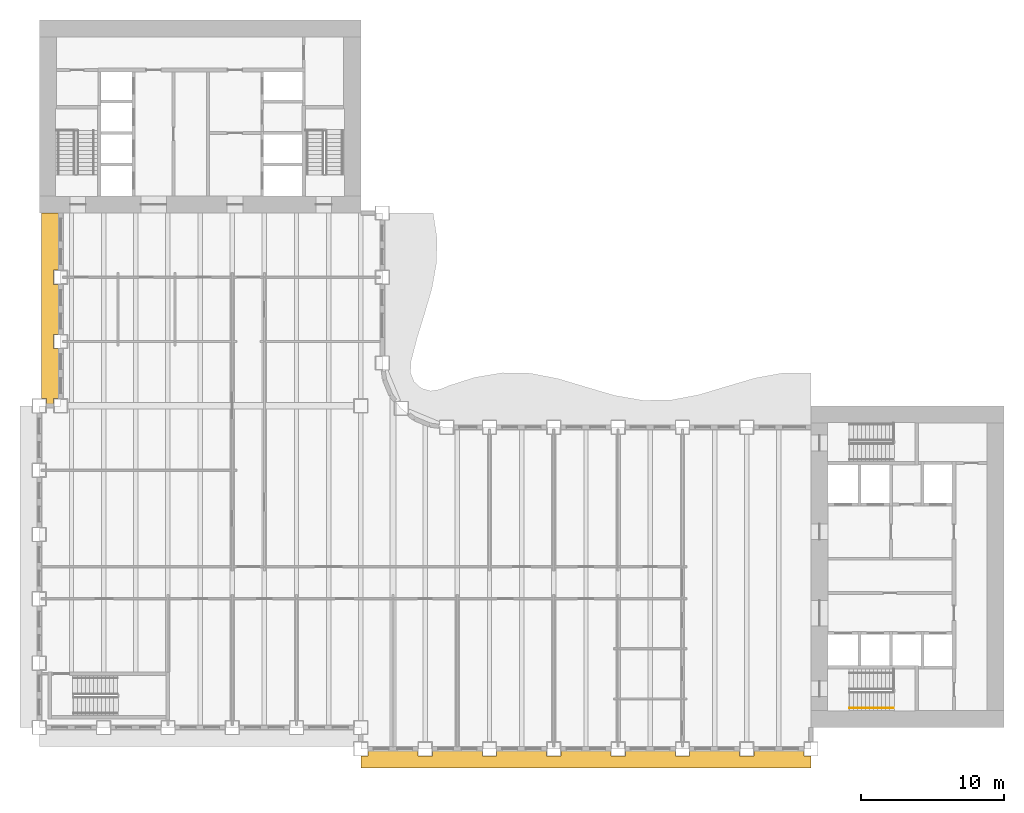
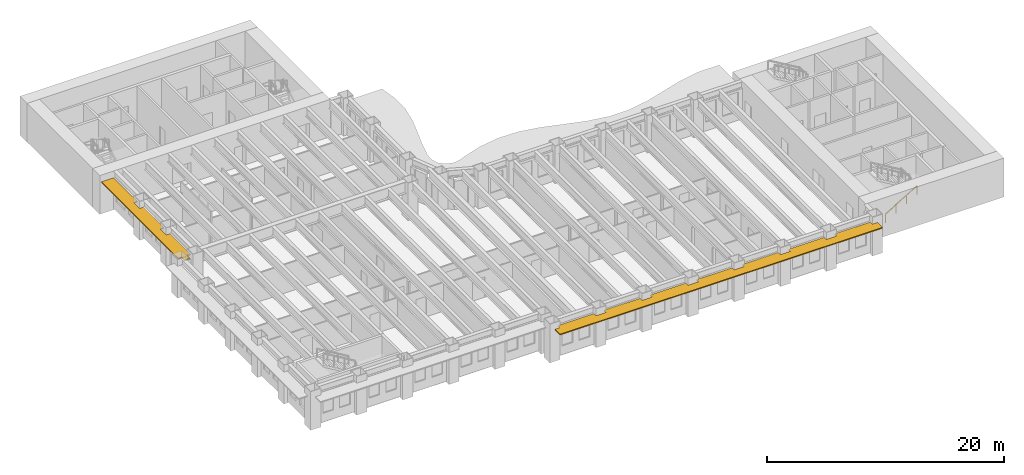
# One storey, part 12 of 16: 2 shading devices, 1 railing.
"""IFC4 building model written with IfcOpenShell, lengths in metres."""

from ifc_helpers import new_model, si_unit, direction, frame, origin, origin_2d, place, context, subcontext, project, spatial, polyline, rectangle, outline, extrude, material, layer, layer_set, type_object, element, save


model = new_model("IFC4")

# Units and contexts
model_context = context("Model", 3, precision=1e-05, world=origin(), true_north=direction((0.0, 1.0)))
body_context = subcontext(model_context, "Body", "Model", "MODEL_VIEW")
ifc_project = project(units=[si_unit("LENGTHUNIT", "METRE"), si_unit("AREAUNIT", "SQUARE_METRE"), si_unit("VOLUMEUNIT", "CUBIC_METRE"), si_unit("PLANEANGLEUNIT", "RADIAN"), si_unit("MASSUNIT", "GRAM", prefix="KILO")], contexts=[model_context])

# Site, building, storey
site_placement = place(None, origin())
site = spatial("IfcSite", under=ifc_project, at=site_placement, CompositionType="ELEMENT")
building_placement = place(site_placement, origin())
building = spatial("IfcBuilding", under=site, at=building_placement, Name="Sennacour Bend Tower", CompositionType="ELEMENT")
storey_placement = place(building_placement, frame((0.0, 0.0, 115.0)))
storey = spatial("IfcBuildingStorey", under=building, at=storey_placement, Name="L26", CompositionType="ELEMENT", Elevation=115.0)

# Railing
ifc_material_1 = material(Name="Stainless steel", Category="steel")
railing_type = type_object("IfcRailingType", Name="RL-HANDRAIL-900", PredefinedType="HANDRAIL", material=ifc_material_1)
railing_placement = place(storey_placement, frame((56.699951171875, 1.35009765625, 0.166748046875)))
element("IfcRailing", 1, at=railing_placement, inside=storey, type_object=railing_type, Name="L26 SA1 stair handrail 1", PredefinedType="HANDRAIL", context=body_context, shape_type="SweptSolid", body=[
    extrude(rectangle(XDim=0.048095703125, YDim=0.048095703125, at=origin_2d()), frame((0.0, 0.0, 0.8759765625), z_axis=(0.859308565015, 0.0, 0.511457515432), x_axis=(0.0, 1.0, 0.0)), (0.0, 0.0, 1.0), 3.58447265625),
    extrude(rectangle(XDim=0.0419921875, YDim=0.0419921875, at=origin_2d()), origin(), (0.0, 0.0, 1.0), 0.851806640625),
    extrude(rectangle(XDim=0.0419921875, YDim=0.0419921875, at=origin_2d()), frame((1.026611328125, 0.0, 0.611083984375)), (0.0, 0.0, 1.0), 0.851806640625),
    extrude(rectangle(XDim=0.0419921875, YDim=0.0419921875, at=origin_2d()), frame((2.053466796875, 0.0, 1.22216796875)), (0.0, 0.0, 1.0), 0.851806640625),
    extrude(rectangle(XDim=0.0419921875, YDim=0.0419921875, at=origin_2d()), frame((3.080078125, 0.0, 1.833251953125)), (0.0, 0.0, 1.0), 0.851806640625),
])

# Shading devices
ifc_material_2 = material(Name="Bronze anodised aluminium", Category="aluminium")
ifc_layer = layer(ifc_material_2, 0.10009765625, Name="Bronze anodised aluminium", Category="aluminium")
ifc_layer_set = layer_set([ifc_layer], Name="Bronze anodised aluminium")
shading_device_type = type_object("IfcShadingDeviceType", Name="SUNSHADE BAND STRAIGHT", PredefinedType="USERDEFINED", material=ifc_layer_set)
shading_device_1_placement = place(storey_placement, frame((0.0, 0.0, 3.053955078125)))
element("IfcShadingDevice", 2, at=shading_device_1_placement, inside=storey, type_object=shading_device_type, Name="Sunshade band L26 A outer face", ObjectType="SUNSHADE", PredefinedType="USERDEFINED", context=body_context, shape_type="SweptSolid", body=[
    extrude(outline(polyline([(26.5, -1.64990234375), (26.5, -2.0), (27.5, -2.0), (27.5, -1.64990234375), (31.0, -1.64990234375), (31.0, -2.0), (32.0, -2.0), (32.0, -1.64990234375), (35.5, -1.64990234375), (35.5, -2.0), (36.5, -2.0), (36.5, -1.64990234375), (40.0, -1.64990234375), (40.0, -2.0), (41.0, -2.0), (41.0, -1.64990234375), (44.5, -1.64990234375), (44.5, -2.0), (45.5, -2.0), (45.5, -1.64990234375), (49.0, -1.64990234375), (49.0, -2.0), (50.0, -2.0), (50.0, -1.64990234375), (53.5, -1.64990234375), (53.5, -2.0), (54.0, -2.0), (54.0, -2.85009765625), (22.5, -2.85009765625), (22.5, -2.0), (23.0, -2.0), (23.0, -1.64990234375), (26.5, -1.64990234375)])), origin(), (0.0, 0.0, 1.0), 0.10009765625),
])
shading_device_2_placement = place(storey_placement, frame((0.0, 0.0, 3.053955078125)))
element("IfcShadingDevice", 3, at=shading_device_2_placement, inside=storey, type_object=shading_device_type, Name="Sunshade band L26 B outer face", ObjectType="SUNSHADE", PredefinedType="USERDEFINED", context=body_context, shape_type="SweptSolid", body=[
    extrude(outline(polyline([(1.35009765625, 32.0), (1.0, 32.0), (1.0, 31.0), (1.35009765625, 31.0), (1.35009765625, 27.5), (1.0, 27.5), (1.0, 26.5), (1.35009765625, 26.5), (1.35009765625, 23.0), (1.0, 23.0), (1.0, 22.5), (0.5, 22.5), (0.5, 23.0), (0.14990234375, 23.0), (0.14990234375, 36.0), (1.35009765625, 36.0), (1.35009765625, 32.0)])), origin(), (0.0, 0.0, 1.0), 0.10009765625),
])

save(model, "model.ifc")
